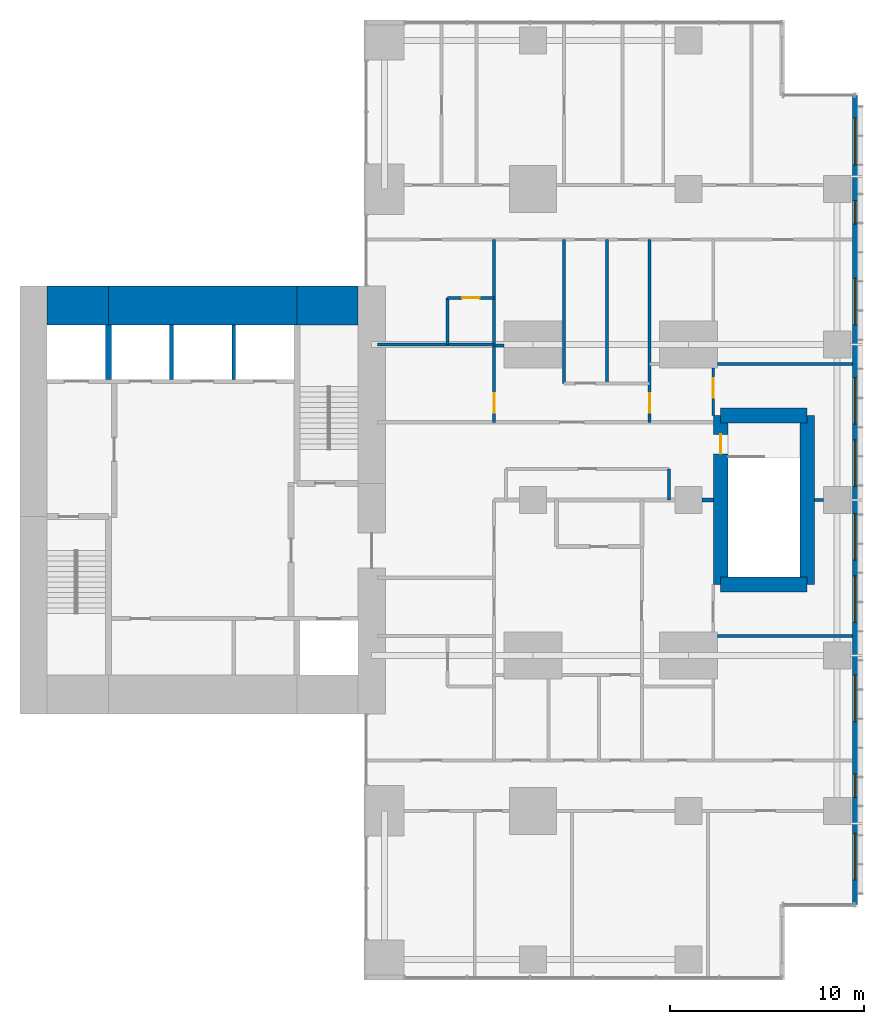
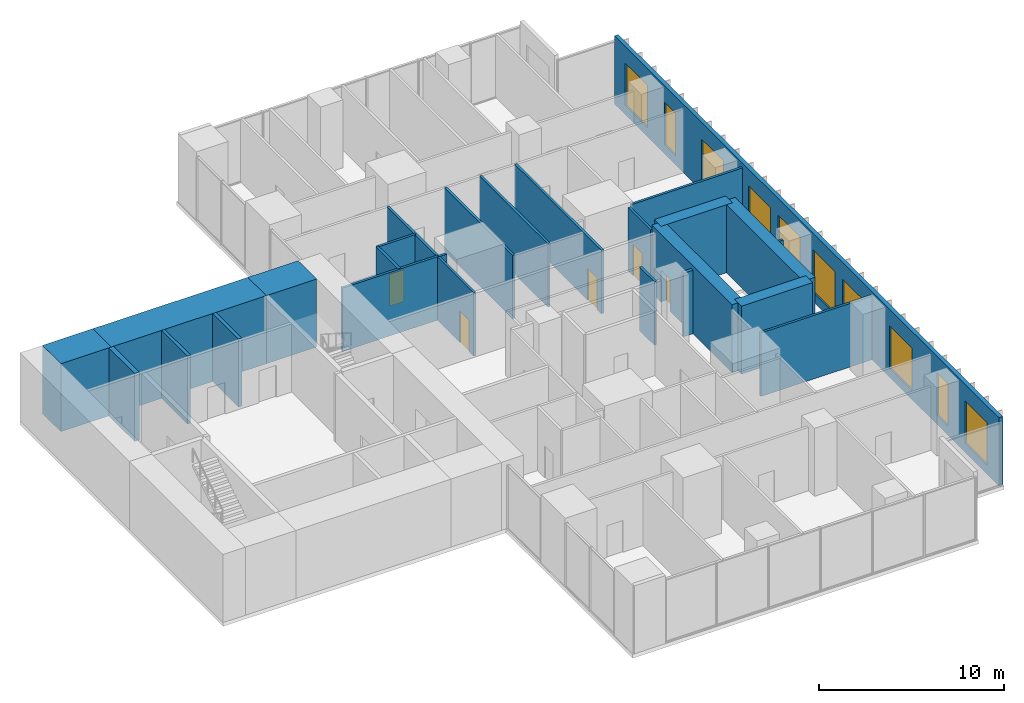
# One storey, part 9 of 11: 25 walls, 10 windows, 5 doors, 15 openings.
"""IFC4 building model written with IfcOpenShell, lengths in metres."""

from ifc_helpers import new_model, si_unit, direction, frame, frame_2d, origin, place, context, subcontext, project, spatial, rectangle, extrude, material, layer, layer_set, type_object, element, fill, save


model = new_model("IFC4")

# Units and contexts
model_context = context("Model", 3, precision=1e-05, world=origin(), true_north=direction((0.0, 1.0)))
body_context = subcontext(model_context, "Body", "Model", "MODEL_VIEW")
ifc_project = project(units=[si_unit("LENGTHUNIT", "METRE"), si_unit("AREAUNIT", "SQUARE_METRE"), si_unit("VOLUMEUNIT", "CUBIC_METRE"), si_unit("PLANEANGLEUNIT", "RADIAN"), si_unit("MASSUNIT", "GRAM", prefix="KILO")], contexts=[model_context])

# Site, building, storey
site_placement = place(None, origin())
site = spatial("IfcSite", under=ifc_project, at=site_placement, CompositionType="ELEMENT")
building_placement = place(site_placement, origin())
building = spatial("IfcBuilding", under=site, at=building_placement, Name="Cleftline Residences", CompositionType="ELEMENT")
storey_placement = place(building_placement, frame((0.0, 0.0, 287.10009765625)))
storey = spatial("IfcBuildingStorey", under=building, at=storey_placement, Name="L75", CompositionType="ELEMENT", Elevation=287.10009765625)

# Walls
ifc_material_1 = material(Name="Concrete B70", Category="concrete")
ifc_layer_1 = layer(ifc_material_1, 2.0)
ifc_layer_set_1 = layer_set([ifc_layer_1], Name="CORE WALL 2000")
wall_type_1 = type_object("IfcWallType", Name="CORE WALL 2000", PredefinedType="SHEAR", material=ifc_layer_set_1)
wall_1_placement = place(storey_placement, frame((25.0, 34.0, 0.0), z_axis=(0.0, 0.0, 1.0), x_axis=(1.0, 0.0, 0.0)))
element("IfcWall", 1, at=wall_1_placement, inside=storey, type_object=wall_type_1, Name="Core wall N1", PredefinedType="SHEAR", context=body_context, shape_type="SweptSolid", body=[
    extrude(rectangle(XDim=3.14990234375, YDim=2.0, at=frame_2d((1.574951171875, 0.0))), origin(), (0.0, 0.0, 1.0), 4.5),
])
wall_2_placement = place(storey_placement, frame((28.14990234375, 34.0, 0.0), z_axis=(0.0, 0.0, 1.0), x_axis=(1.0, 0.0, 0.0)))
element("IfcWall", 2, at=wall_2_placement, inside=storey, type_object=wall_type_1, Name="Core wall N2", PredefinedType="SHEAR", context=body_context, shape_type="SweptSolid", body=[
    extrude(rectangle(XDim=9.7001953125, YDim=2.0, at=frame_2d((4.85009765625, 0.0))), origin(), (0.0, 0.0, 1.0), 4.5),
])
wall_3_placement = place(storey_placement, frame((37.85009765625, 34.0, 0.0), z_axis=(0.0, 0.0, 1.0), x_axis=(1.0, 0.0, 0.0)))
element("IfcWall", 3, at=wall_3_placement, inside=storey, type_object=wall_type_1, Name="Core wall N3", PredefinedType="SHEAR", context=body_context, shape_type="SweptSolid", body=[
    extrude(rectangle(XDim=3.14990234375, YDim=2.0, at=frame_2d((1.574951171875, 0.0))), origin(), (0.0, 0.0, 1.0), 4.5),
])
ifc_material_2 = material(Name="Concrete B70", Category="concrete")
ifc_layer_2 = layer(ifc_material_2, 0.300048828125)
ifc_layer_set_2 = layer_set([ifc_layer_2], Name="CORE WALL 300")
wall_type_2 = type_object("IfcWallType", Name="CORE WALL 300", PredefinedType="SHEAR", material=ifc_layer_set_2)
wall_4_placement = place(storey_placement, frame((28.14990234375, 30.199951171875, 0.0), z_axis=(0.0, 0.0, 1.0), x_axis=(0.0, 1.0, 0.0)))
element("IfcWall", 4, at=wall_4_placement, inside=storey, type_object=wall_type_2, Name="Lift shaft wall", PredefinedType="SHEAR", context=body_context, shape_type="SweptSolid", body=[
    extrude(rectangle(XDim=2.800048828125, YDim=0.300048828125, at=frame_2d((1.39990234375, 0.0))), origin(), (0.0, 0.0, 1.0), 4.5),
])

# Wall, openings, windows
ifc_material_3 = material(Name="Rendered reinforced concrete blockwork", Category="masonry")
ifc_layer_3 = layer(ifc_material_3, 0.25)
ifc_layer_set_3 = layer_set([ifc_layer_3], Name="EXTERNAL WALL 250")
wall_type_3 = type_object("IfcWallType", Name="EXTERNAL WALL 250", PredefinedType="SOLIDWALL", material=ifc_layer_set_3)
wall_5_placement = place(storey_placement, frame((66.574951171875, 3.175048828125, 0.0), z_axis=(0.0, 0.0, 1.0), x_axis=(0.0, 1.0, 0.0)))
wall_5 = element("IfcWall", 5, at=wall_5_placement, inside=storey, type_object=wall_type_3, Name="External wall", PredefinedType="SOLIDWALL", context=body_context, shape_type="SweptSolid", body=[
    extrude(rectangle(XDim=41.64990234375, YDim=0.25, at=frame_2d((20.824951171875, 0.0))), origin(), (0.0, 0.0, 1.0), 4.5),
])
opening_1_placement = place(wall_5_placement, frame((1.27490234375, 0.0, 0.60009765625)))
opening_1 = element("IfcOpeningElement", 6, at=opening_1_placement, cuts=wall_5, Name="Opening W15", PredefinedType="OPENING", context=body_context, shape_type="SweptSolid", body=[
    extrude(rectangle(XDim=2.39990234375, YDim=2.800048828125, at=frame_2d((1.199951171875, 1.39990234375))), frame((0.0, 0.135009765625, 0.0), z_axis=(0.0, -1.0, 0.0), x_axis=(1.0, 0.0, 0.0)), (0.0, 0.0, 1.0), 0.27001953125),
])
opening_2_placement = place(wall_5_placement, frame((5.52490234375, 0.0, 0.60009765625)))
opening_2 = element("IfcOpeningElement", 7, at=opening_2_placement, cuts=wall_5, Name="Opening W16", PredefinedType="OPENING", context=body_context, shape_type="SweptSolid", body=[
    extrude(rectangle(XDim=1.199951171875, YDim=2.800048828125, at=frame_2d((0.60009765625, 1.39990234375))), frame((0.0, 0.135009765625, 0.0), z_axis=(0.0, -1.0, 0.0), x_axis=(1.0, 0.0, 0.0)), (0.0, 0.0, 1.0), 0.27001953125),
])
opening_3_placement = place(wall_5_placement, frame((9.425048828125, 0.0, 0.60009765625)))
opening_3 = element("IfcOpeningElement", 8, at=opening_3_placement, cuts=wall_5, Name="Opening W15", PredefinedType="OPENING", context=body_context, shape_type="SweptSolid", body=[
    extrude(rectangle(XDim=2.39990234375, YDim=2.800048828125, at=frame_2d((1.199951171875, 1.39990234375))), frame((0.0, 0.135009765625, 0.0), z_axis=(0.0, -1.0, 0.0), x_axis=(1.0, 0.0, 0.0)), (0.0, 0.0, 1.0), 0.27001953125),
])
opening_4_placement = place(wall_5_placement, frame((14.52490234375, 0.0, 0.60009765625)))
opening_4 = element("IfcOpeningElement", 9, at=opening_4_placement, cuts=wall_5, Name="Opening W15", PredefinedType="OPENING", context=body_context, shape_type="SweptSolid", body=[
    extrude(rectangle(XDim=2.39990234375, YDim=2.800048828125, at=frame_2d((1.199951171875, 1.39990234375))), frame((0.0, 0.135009765625, 0.0), z_axis=(0.0, -1.0, 0.0), x_axis=(1.0, 0.0, 0.0)), (0.0, 0.0, 1.0), 0.27001953125),
])
opening_5_placement = place(wall_5_placement, frame((17.72509765625, 0.0, 0.60009765625)))
opening_5 = element("IfcOpeningElement", 10, at=opening_5_placement, cuts=wall_5, Name="Opening W15", PredefinedType="OPENING", context=body_context, shape_type="SweptSolid", body=[
    extrude(rectangle(XDim=2.39990234375, YDim=2.800048828125, at=frame_2d((1.199951171875, 1.39990234375))), frame((0.0, 0.135009765625, 0.0), z_axis=(0.0, -1.0, 0.0), x_axis=(1.0, 0.0, 0.0)), (0.0, 0.0, 1.0), 0.27001953125),
])
opening_6_placement = place(wall_5_placement, frame((21.52490234375, 0.0, 0.60009765625)))
opening_6 = element("IfcOpeningElement", 11, at=opening_6_placement, cuts=wall_5, Name="Opening W15", PredefinedType="OPENING", context=body_context, shape_type="SweptSolid", body=[
    extrude(rectangle(XDim=2.39990234375, YDim=2.800048828125, at=frame_2d((1.199951171875, 1.39990234375))), frame((0.0, 0.135009765625, 0.0), z_axis=(0.0, -1.0, 0.0), x_axis=(1.0, 0.0, 0.0)), (0.0, 0.0, 1.0), 0.27001953125),
])
opening_7_placement = place(wall_5_placement, frame((24.72509765625, 0.0, 0.60009765625)))
opening_7 = element("IfcOpeningElement", 12, at=opening_7_placement, cuts=wall_5, Name="Opening W15", PredefinedType="OPENING", context=body_context, shape_type="SweptSolid", body=[
    extrude(rectangle(XDim=2.39990234375, YDim=2.800048828125, at=frame_2d((1.199951171875, 1.39990234375))), frame((0.0, 0.135009765625, 0.0), z_axis=(0.0, -1.0, 0.0), x_axis=(1.0, 0.0, 0.0)), (0.0, 0.0, 1.0), 0.27001953125),
])
opening_8_placement = place(wall_5_placement, frame((29.824951171875, 0.0, 0.60009765625)))
opening_8 = element("IfcOpeningElement", 13, at=opening_8_placement, cuts=wall_5, Name="Opening W15", PredefinedType="OPENING", context=body_context, shape_type="SweptSolid", body=[
    extrude(rectangle(XDim=2.39990234375, YDim=2.800048828125, at=frame_2d((1.199951171875, 1.39990234375))), frame((0.0, 0.135009765625, 0.0), z_axis=(0.0, -1.0, 0.0), x_axis=(1.0, 0.0, 0.0)), (0.0, 0.0, 1.0), 0.27001953125),
])
opening_9_placement = place(wall_5_placement, frame((35.02490234375, 0.0, 0.60009765625)))
opening_9 = element("IfcOpeningElement", 14, at=opening_9_placement, cuts=wall_5, Name="Opening W16", PredefinedType="OPENING", context=body_context, shape_type="SweptSolid", body=[
    extrude(rectangle(XDim=1.199951171875, YDim=2.800048828125, at=frame_2d((0.60009765625, 1.39990234375))), frame((0.0, 0.135009765625, 0.0), z_axis=(0.0, -1.0, 0.0), x_axis=(1.0, 0.0, 0.0)), (0.0, 0.0, 1.0), 0.27001953125),
])
opening_10_placement = place(wall_5_placement, frame((38.074951171875, 0.0, 0.60009765625)))
opening_10 = element("IfcOpeningElement", 15, at=opening_10_placement, cuts=wall_5, Name="Opening W15", PredefinedType="OPENING", context=body_context, shape_type="SweptSolid", body=[
    extrude(rectangle(XDim=2.39990234375, YDim=2.800048828125, at=frame_2d((1.199951171875, 1.39990234375))), frame((0.0, 0.135009765625, 0.0), z_axis=(0.0, -1.0, 0.0), x_axis=(1.0, 0.0, 0.0)), (0.0, 0.0, 1.0), 0.27001953125),
])
ifc_material_4 = material(Name="Aluminium frame, clear double glazing", Category="aluminium")
window_type_1 = type_object("IfcWindowType", Name="WINDOW 1200X2800", PartitioningType="DOUBLE_PANEL_VERTICAL", PredefinedType="WINDOW", material=ifc_material_4)
window_1_placement = place(opening_2_placement, origin())
window_1 = element("IfcWindow", 16, at=window_1_placement, inside=storey, type_object=window_type_1, Name="Window", OverallHeight=2.800048828125, OverallWidth=1.199951171875, PartitioningType="SINGLE_PANEL", PredefinedType="WINDOW", context=body_context, shape_type="SweptSolid", body=[
    extrude(rectangle(XDim=1.199951171875, YDim=2.800048828125, at=frame_2d((0.60009765625, 1.39990234375))), frame((0.0, 0.030029296875, 0.0), z_axis=(0.0, -1.0, 0.0), x_axis=(1.0, 0.0, 0.0)), (0.0, 0.0, 1.0), 0.06005859375),
])
fill(opening_2, window_1)
window_2_placement = place(opening_9_placement, origin())
window_2 = element("IfcWindow", 17, at=window_2_placement, inside=storey, type_object=window_type_1, Name="Window", OverallHeight=2.800048828125, OverallWidth=1.199951171875, PartitioningType="SINGLE_PANEL", PredefinedType="WINDOW", context=body_context, shape_type="SweptSolid", body=[
    extrude(rectangle(XDim=1.199951171875, YDim=2.800048828125, at=frame_2d((0.60009765625, 1.39990234375))), frame((0.0, 0.030029296875, 0.0), z_axis=(0.0, -1.0, 0.0), x_axis=(1.0, 0.0, 0.0)), (0.0, 0.0, 1.0), 0.06005859375),
])
fill(opening_9, window_2)
ifc_material_5 = material(Name="Aluminium frame, clear double glazing", Category="aluminium")
window_type_2 = type_object("IfcWindowType", Name="WINDOW 2400X2800", PartitioningType="DOUBLE_PANEL_VERTICAL", PredefinedType="WINDOW", material=ifc_material_5)
window_3_placement = place(opening_1_placement, origin())
window_3 = element("IfcWindow", 18, at=window_3_placement, inside=storey, type_object=window_type_2, Name="Window", OverallHeight=2.800048828125, OverallWidth=2.39990234375, PartitioningType="SINGLE_PANEL", PredefinedType="WINDOW", context=body_context, shape_type="SweptSolid", body=[
    extrude(rectangle(XDim=2.39990234375, YDim=2.800048828125, at=frame_2d((1.199951171875, 1.39990234375))), frame((0.0, 0.030029296875, 0.0), z_axis=(0.0, -1.0, 0.0), x_axis=(1.0, 0.0, 0.0)), (0.0, 0.0, 1.0), 0.06005859375),
])
fill(opening_1, window_3)
window_4_placement = place(opening_3_placement, origin())
window_4 = element("IfcWindow", 19, at=window_4_placement, inside=storey, type_object=window_type_2, Name="Window", OverallHeight=2.800048828125, OverallWidth=2.39990234375, PartitioningType="SINGLE_PANEL", PredefinedType="WINDOW", context=body_context, shape_type="SweptSolid", body=[
    extrude(rectangle(XDim=2.39990234375, YDim=2.800048828125, at=frame_2d((1.199951171875, 1.39990234375))), frame((0.0, 0.030029296875, 0.0), z_axis=(0.0, -1.0, 0.0), x_axis=(1.0, 0.0, 0.0)), (0.0, 0.0, 1.0), 0.06005859375),
])
fill(opening_3, window_4)
window_5_placement = place(opening_4_placement, origin())
window_5 = element("IfcWindow", 20, at=window_5_placement, inside=storey, type_object=window_type_2, Name="Window", OverallHeight=2.800048828125, OverallWidth=2.39990234375, PartitioningType="SINGLE_PANEL", PredefinedType="WINDOW", context=body_context, shape_type="SweptSolid", body=[
    extrude(rectangle(XDim=2.39990234375, YDim=2.800048828125, at=frame_2d((1.199951171875, 1.39990234375))), frame((0.0, 0.030029296875, 0.0), z_axis=(0.0, -1.0, 0.0), x_axis=(1.0, 0.0, 0.0)), (0.0, 0.0, 1.0), 0.06005859375),
])
fill(opening_4, window_5)
window_6_placement = place(opening_5_placement, origin())
window_6 = element("IfcWindow", 21, at=window_6_placement, inside=storey, type_object=window_type_2, Name="Window", OverallHeight=2.800048828125, OverallWidth=2.39990234375, PartitioningType="SINGLE_PANEL", PredefinedType="WINDOW", context=body_context, shape_type="SweptSolid", body=[
    extrude(rectangle(XDim=2.39990234375, YDim=2.800048828125, at=frame_2d((1.199951171875, 1.39990234375))), frame((0.0, 0.030029296875, 0.0), z_axis=(0.0, -1.0, 0.0), x_axis=(1.0, 0.0, 0.0)), (0.0, 0.0, 1.0), 0.06005859375),
])
fill(opening_5, window_6)
window_7_placement = place(opening_6_placement, origin())
window_7 = element("IfcWindow", 22, at=window_7_placement, inside=storey, type_object=window_type_2, Name="Window", OverallHeight=2.800048828125, OverallWidth=2.39990234375, PartitioningType="SINGLE_PANEL", PredefinedType="WINDOW", context=body_context, shape_type="SweptSolid", body=[
    extrude(rectangle(XDim=2.39990234375, YDim=2.800048828125, at=frame_2d((1.199951171875, 1.39990234375))), frame((0.0, 0.030029296875, 0.0), z_axis=(0.0, -1.0, 0.0), x_axis=(1.0, 0.0, 0.0)), (0.0, 0.0, 1.0), 0.06005859375),
])
fill(opening_6, window_7)
window_8_placement = place(opening_7_placement, origin())
window_8 = element("IfcWindow", 23, at=window_8_placement, inside=storey, type_object=window_type_2, Name="Window", OverallHeight=2.800048828125, OverallWidth=2.39990234375, PartitioningType="SINGLE_PANEL", PredefinedType="WINDOW", context=body_context, shape_type="SweptSolid", body=[
    extrude(rectangle(XDim=2.39990234375, YDim=2.800048828125, at=frame_2d((1.199951171875, 1.39990234375))), frame((0.0, 0.030029296875, 0.0), z_axis=(0.0, -1.0, 0.0), x_axis=(1.0, 0.0, 0.0)), (0.0, 0.0, 1.0), 0.06005859375),
])
fill(opening_7, window_8)
window_9_placement = place(opening_8_placement, origin())
window_9 = element("IfcWindow", 24, at=window_9_placement, inside=storey, type_object=window_type_2, Name="Window", OverallHeight=2.800048828125, OverallWidth=2.39990234375, PartitioningType="SINGLE_PANEL", PredefinedType="WINDOW", context=body_context, shape_type="SweptSolid", body=[
    extrude(rectangle(XDim=2.39990234375, YDim=2.800048828125, at=frame_2d((1.199951171875, 1.39990234375))), frame((0.0, 0.030029296875, 0.0), z_axis=(0.0, -1.0, 0.0), x_axis=(1.0, 0.0, 0.0)), (0.0, 0.0, 1.0), 0.06005859375),
])
fill(opening_8, window_9)
window_10_placement = place(opening_10_placement, origin())
window_10 = element("IfcWindow", 25, at=window_10_placement, inside=storey, type_object=window_type_2, Name="Window", OverallHeight=2.800048828125, OverallWidth=2.39990234375, PartitioningType="SINGLE_PANEL", PredefinedType="WINDOW", context=body_context, shape_type="SweptSolid", body=[
    extrude(rectangle(XDim=2.39990234375, YDim=2.800048828125, at=frame_2d((1.199951171875, 1.39990234375))), frame((0.0, 0.030029296875, 0.0), z_axis=(0.0, -1.0, 0.0), x_axis=(1.0, 0.0, 0.0)), (0.0, 0.0, 1.0), 0.06005859375),
])
fill(opening_10, window_10)

# Walls
ifc_material_6 = material(Name="Concrete blockwork, fire rated", Category="masonry")
ifc_layer_4 = layer(ifc_material_6, 0.199951171875)
ifc_layer_set_4 = layer_set([ifc_layer_4], Name="FIRE WALL 200")
wall_type_4 = type_object("IfcWallType", Name="FIRE WALL 200", PredefinedType="PARTITIONING", material=ifc_layer_set_4)
wall_6_placement = place(storey_placement, frame((58.699951171875, 24.0, 0.0), z_axis=(0.0, 0.0, 1.0), x_axis=(1.0, 0.0, 0.0)))
element("IfcWall", 26, at=wall_6_placement, inside=storey, type_object=wall_type_4, Name="Fire separating wall", PredefinedType="PARTITIONING", context=body_context, shape_type="SweptSolid", body=[
    extrude(rectangle(XDim=0.574951171875, YDim=0.199951171875, at=frame_2d((0.28759765625, 0.0))), origin(), (0.0, 0.0, 1.0), 4.199951171875),
])
ifc_material_7 = material(Name="Gypsum board on steel studs", Category="steel")
ifc_layer_5 = layer(ifc_material_7, 0.14990234375)
ifc_layer_set_5 = layer_set([ifc_layer_5], Name="PARTITION 150")
wall_type_5 = type_object("IfcWallType", Name="PARTITION 150", PredefinedType="PARTITIONING", material=ifc_layer_set_5)
wall_7_placement = place(storey_placement, frame((59.5, 17.0, 0.0), z_axis=(0.0, 0.0, 1.0), x_axis=(1.0, 0.0, 0.0)))
element("IfcWall", 27, at=wall_7_placement, inside=storey, type_object=wall_type_5, Name="Partition", PredefinedType="PARTITIONING", context=body_context, shape_type="SweptSolid", body=[
    extrude(rectangle(XDim=6.949951171875, YDim=0.14990234375, at=frame_2d((3.47509765625, 0.0))), origin(), (0.0, 0.0, 1.0), 4.199951171875),
])
wall_8_placement = place(storey_placement, frame((64.47509765625, 24.0, 0.0), z_axis=(0.0, 0.0, 1.0), x_axis=(1.0, 0.0, 0.0)))
element("IfcWall", 28, at=wall_8_placement, inside=storey, type_object=wall_type_5, Name="Partition", PredefinedType="PARTITIONING", context=body_context, shape_type="SweptSolid", body=[
    extrude(rectangle(XDim=0.474853515625, YDim=0.14990234375, at=frame_2d((0.2373046875, 0.0))), origin(), (0.0, 0.0, 1.0), 4.199951171875),
])
wall_9_placement = place(storey_placement, frame((59.5, 31.0, 0.0), z_axis=(0.0, 0.0, 1.0), x_axis=(1.0, 0.0, 0.0)))
element("IfcWall", 29, at=wall_9_placement, inside=storey, type_object=wall_type_5, Name="Partition", PredefinedType="PARTITIONING", context=body_context, shape_type="SweptSolid", body=[
    extrude(rectangle(XDim=6.949951171875, YDim=0.14990234375, at=frame_2d((3.47509765625, 0.0))), origin(), (0.0, 0.0, 1.0), 4.199951171875),
])
wall_10_placement = place(storey_placement, frame((48.0, 31.949951171875, 0.0), z_axis=(0.0, 0.0, 1.0), x_axis=(1.0, 0.0, 0.0)))
element("IfcWall", 30, at=wall_10_placement, inside=storey, type_object=wall_type_5, Name="Partition", PredefinedType="PARTITIONING", context=body_context, shape_type="SweptSolid", body=[
    extrude(rectangle(XDim=0.5, YDim=0.14990234375, at=frame_2d((0.25, 0.0))), origin(), (0.0, 0.0, 1.0), 4.199951171875),
])
wall_11_placement = place(storey_placement, frame((42.0, 32.0, 0.0), z_axis=(0.0, 0.0, 1.0), x_axis=(1.0, 0.0, 0.0)))
element("IfcWall", 31, at=wall_11_placement, inside=storey, type_object=wall_type_5, Name="Partition", PredefinedType="PARTITIONING", context=body_context, shape_type="SweptSolid", body=[
    extrude(rectangle(XDim=6.0, YDim=0.14990234375, at=frame_2d((3.0, 0.0))), origin(), (0.0, 0.0, 1.0), 4.199951171875),
])

# Wall, opening, door
wall_12_placement = place(storey_placement, frame((45.60009765625, 34.39990234375, 0.0), z_axis=(0.0, 0.0, 1.0), x_axis=(1.0, 0.0, 0.0)))
wall_12 = element("IfcWall", 32, at=wall_12_placement, inside=storey, type_object=wall_type_5, Name="Partition", PredefinedType="PARTITIONING", context=body_context, shape_type="SweptSolid", body=[
    extrude(rectangle(XDim=2.39990234375, YDim=0.14990234375, at=frame_2d((1.199951171875, 0.0))), origin(), (0.0, 0.0, 1.0), 4.199951171875),
])
opening_11_placement = place(wall_12_placement, frame((0.75, 0.0, 0.0)))
opening_11 = element("IfcOpeningElement", 33, at=opening_11_placement, cuts=wall_12, Name="Opening D1", PredefinedType="OPENING", context=body_context, shape_type="SweptSolid", body=[
    extrude(rectangle(XDim=0.89990234375, YDim=2.10009765625, at=frame_2d((0.449951171875, 1.050048828125))), frame((0.0, 0.0849609375, 0.0), z_axis=(0.0, -1.0, 0.0), x_axis=(1.0, 0.0, 0.0)), (0.0, 0.0, 1.0), 0.169921875),
])
ifc_material_8 = material(Name="Timber veneer on solid core", Category="wood")
door_type_1 = type_object("IfcDoorType", Name="DOOR 900X2100", OperationType="SINGLE_SWING_LEFT", PredefinedType="DOOR", material=ifc_material_8)
door_1_placement = place(opening_11_placement, origin())
door_1 = element("IfcDoor", 34, at=door_1_placement, inside=storey, type_object=door_type_1, Name="Door to staff shower room", OperationType="SINGLE_SWING_LEFT", OverallHeight=2.10009765625, OverallWidth=0.89990234375, PredefinedType="DOOR", context=body_context, shape_type="SweptSolid", body=[
    extrude(rectangle(XDim=0.89990234375, YDim=2.10009765625, at=frame_2d((0.449951171875, 1.050048828125))), frame((0.0, 0.02490234375, 0.0), z_axis=(0.0, -1.0, 0.0), x_axis=(1.0, 0.0, 0.0)), (0.0, 0.0, 1.0), 0.050048828125),
])
fill(opening_11, door_1)

# Wall
wall_13_placement = place(storey_placement, frame((45.60009765625, 32.0, 0.0), z_axis=(0.0, 0.0, 1.0), x_axis=(0.0, 1.0, 0.0)))
element("IfcWall", 35, at=wall_13_placement, inside=storey, type_object=wall_type_5, Name="Partition", PredefinedType="PARTITIONING", context=body_context, shape_type="SweptSolid", body=[
    extrude(rectangle(XDim=2.39990234375, YDim=0.14990234375, at=frame_2d((1.199951171875, 0.0))), origin(), (0.0, 0.0, 1.0), 4.199951171875),
])

# Wall, opening, door
wall_14_placement = place(storey_placement, frame((48.0, 28.0, 0.0), z_axis=(0.0, 0.0, 1.0), x_axis=(0.0, 1.0, 0.0)))
wall_14 = element("IfcWall", 36, at=wall_14_placement, inside=storey, type_object=wall_type_5, Name="Partition", PredefinedType="PARTITIONING", context=body_context, shape_type="SweptSolid", body=[
    extrude(rectangle(XDim=9.39990234375, YDim=0.14990234375, at=frame_2d((4.699951171875, 0.0))), origin(), (0.0, 0.0, 1.0), 4.199951171875),
])
opening_12_placement = place(wall_14_placement, frame((0.5, 0.0, 0.0)))
opening_12 = element("IfcOpeningElement", 37, at=opening_12_placement, cuts=wall_14, Name="Opening D2", PredefinedType="OPENING", context=body_context, shape_type="SweptSolid", body=[
    extrude(rectangle(XDim=1.0, YDim=2.10009765625, at=frame_2d((0.5, 1.050048828125))), frame((0.0, 0.0849609375, 0.0), z_axis=(0.0, -1.0, 0.0), x_axis=(1.0, 0.0, 0.0)), (0.0, 0.0, 1.0), 0.169921875),
])
ifc_material_9 = material(Name="Timber veneer on solid core", Category="wood")
door_type_2 = type_object("IfcDoorType", Name="DOOR 1000X2100", OperationType="SINGLE_SWING_LEFT", PredefinedType="DOOR", material=ifc_material_9)
door_2_placement = place(opening_12_placement, origin())
door_2 = element("IfcDoor", 38, at=door_2_placement, inside=storey, type_object=door_type_2, Name="Door to morning kitchen", OperationType="SINGLE_SWING_RIGHT", OverallHeight=2.10009765625, OverallWidth=1.0, PredefinedType="DOOR", context=body_context, shape_type="SweptSolid", body=[
    extrude(rectangle(XDim=1.0, YDim=2.10009765625, at=frame_2d((0.5, 1.050048828125))), frame((0.0, 0.02490234375, 0.0), z_axis=(0.0, -1.0, 0.0), x_axis=(1.0, 0.0, 0.0)), (0.0, 0.0, 1.0), 0.050048828125),
])
fill(opening_12, door_2)

# Walls
for number, where, z_axis, x_axis, name in (
    (39, (51.60009765625, 30.0, 0.0), (0.0, 0.0, 1.0), (0.0, 1.0, 0.0), "Partition"),
    (40, (53.800048828125, 30.0, 0.0), (0.0, 0.0, 1.0), (0.0, 1.0, 0.0), "Partition"),
):
    element("IfcWall", number, at=place(storey_placement, frame(where, z_axis=z_axis, x_axis=x_axis)), inside=storey, type_object=wall_type_5, Name=name, PredefinedType="PARTITIONING", context=body_context, shape_type="SweptSolid", body=[
        extrude(rectangle(XDim=7.39990234375, YDim=0.14990234375, at=frame_2d((3.699951171875, 0.0))), origin(), (0.0, 0.0, 1.0), 4.199951171875),
    ])

# Wall, opening, door
wall_15_placement = place(storey_placement, frame((56.0, 28.0, 0.0), z_axis=(0.0, 0.0, 1.0), x_axis=(0.0, 1.0, 0.0)))
wall_15 = element("IfcWall", 41, at=wall_15_placement, inside=storey, type_object=wall_type_5, Name="Partition", PredefinedType="PARTITIONING", context=body_context, shape_type="SweptSolid", body=[
    extrude(rectangle(XDim=9.39990234375, YDim=0.14990234375, at=frame_2d((4.699951171875, 0.0))), origin(), (0.0, 0.0, 1.0), 4.199951171875),
])
opening_13_placement = place(wall_15_placement, frame((0.5, 0.0, 0.0)))
opening_13 = element("IfcOpeningElement", 42, at=opening_13_placement, cuts=wall_15, Name="Opening D2F30", PredefinedType="OPENING", context=body_context, shape_type="SweptSolid", body=[
    extrude(rectangle(XDim=1.0, YDim=2.10009765625, at=frame_2d((0.5, 1.050048828125))), frame((0.0, 0.0849609375, 0.0), z_axis=(0.0, -1.0, 0.0), x_axis=(1.0, 0.0, 0.0)), (0.0, 0.0, 1.0), 0.169921875),
])
ifc_material_10 = material(Name="Timber veneer on solid core", Category="wood")
door_type_3 = type_object("IfcDoorType", Name="DOOR 1000X2100 EI 30", OperationType="SINGLE_SWING_LEFT", PredefinedType="DOOR", material=ifc_material_10)
door_3_placement = place(opening_13_placement, origin())
door_3 = element("IfcDoor", 43, at=door_3_placement, inside=storey, type_object=door_type_3, Name="Door to residence lobby (service)", OperationType="SINGLE_SWING_RIGHT", OverallHeight=2.10009765625, OverallWidth=1.0, PredefinedType="DOOR", context=body_context, shape_type="SweptSolid", body=[
    extrude(rectangle(XDim=1.0, YDim=2.10009765625, at=frame_2d((0.5, 1.050048828125))), frame((0.0, 0.02490234375, 0.0), z_axis=(0.0, -1.0, 0.0), x_axis=(1.0, 0.0, 0.0)), (0.0, 0.0, 1.0), 0.050048828125),
])
fill(opening_13, door_3)

# Wall
wall_16_placement = place(storey_placement, frame((57.0, 24.0, 0.0), z_axis=(0.0, 0.0, 1.0), x_axis=(0.0, 1.0, 0.0)))
element("IfcWall", 44, at=wall_16_placement, inside=storey, type_object=wall_type_5, Name="Partition", PredefinedType="PARTITIONING", context=body_context, shape_type="SweptSolid", body=[
    extrude(rectangle(XDim=1.60009765625, YDim=0.14990234375, at=frame_2d((0.800048828125, 0.0))), origin(), (0.0, 0.0, 1.0), 4.199951171875),
])

# Wall, opening, door
wall_17_placement = place(storey_placement, frame((59.27490234375, 28.35009765625, 0.0), z_axis=(0.0, 0.0, 1.0), x_axis=(0.0, 1.0, 0.0)))
wall_17 = element("IfcWall", 45, at=wall_17_placement, inside=storey, type_object=wall_type_5, Name="Partition", PredefinedType="PARTITIONING", context=body_context, shape_type="SweptSolid", body=[
    extrude(rectangle(XDim=2.449951171875, YDim=0.14990234375, at=frame_2d((1.22509765625, 0.0))), origin(), (0.0, 0.0, 1.0), 4.199951171875),
])
opening_14_placement = place(wall_17_placement, frame((0.91259765625, 0.0, 0.0)))
opening_14 = element("IfcOpeningElement", 46, at=opening_14_placement, cuts=wall_17, Name="Opening D2", PredefinedType="OPENING", context=body_context, shape_type="SweptSolid", body=[
    extrude(rectangle(XDim=1.0, YDim=2.10009765625, at=frame_2d((0.5, 1.050048828125))), frame((0.0, 0.0849609375, 0.0), z_axis=(0.0, -1.0, 0.0), x_axis=(1.0, 0.0, 0.0)), (0.0, 0.0, 1.0), 0.169921875),
])
door_4_placement = place(opening_14_placement, origin())
door_4 = element("IfcDoor", 47, at=door_4_placement, inside=storey, type_object=door_type_2, Name="Door to winter garden", OperationType="SINGLE_SWING_LEFT", OverallHeight=2.10009765625, OverallWidth=1.0, PredefinedType="DOOR", context=body_context, shape_type="SweptSolid", body=[
    extrude(rectangle(XDim=1.0, YDim=2.10009765625, at=frame_2d((0.5, 1.050048828125))), frame((0.0, 0.02490234375, 0.0), z_axis=(0.0, -1.0, 0.0), x_axis=(1.0, 0.0, 0.0)), (0.0, 0.0, 1.0), 0.050048828125),
])
fill(opening_14, door_4)

# Walls
ifc_material_11 = material(Name="Concrete blockwork, fire rated", Category="masonry")
ifc_layer_6 = layer(ifc_material_11, 0.199951171875)
ifc_layer_set_6 = layer_set([ifc_layer_6], Name="SHAFT WALL 200")
wall_type_6 = type_object("IfcWallType", Name="SHAFT WALL 200", PredefinedType="PARTITIONING", material=ifc_layer_set_6)
for number, where, z_axis, x_axis, name in (
    (48, (31.39990234375, 30.199951171875, 0.0), (0.0, 0.0, 1.0), (0.0, 1.0, 0.0), "Lift shaft wall"),
    (49, (34.60009765625, 30.199951171875, 0.0), (0.0, 0.0, 1.0), (0.0, 1.0, 0.0), "Lift shaft wall"),
):
    element("IfcWall", number, at=place(storey_placement, frame(where, z_axis=z_axis, x_axis=x_axis)), inside=storey, type_object=wall_type_6, Name=name, PredefinedType="PARTITIONING", context=body_context, shape_type="SweptSolid", body=[
        extrude(rectangle(XDim=2.800048828125, YDim=0.199951171875, at=frame_2d((1.39990234375, 0.0))), origin(), (0.0, 0.0, 1.0), 4.5),
    ])
ifc_material_12 = material(Name="Concrete B70", Category="concrete")
ifc_layer_7 = layer(ifc_material_12, 0.75)
ifc_layer_set_7 = layer_set([ifc_layer_7], Name="SHEAR WALL 750")
wall_type_7 = type_object("IfcWallType", Name="SHEAR WALL 750", PredefinedType="SHEAR", material=ifc_layer_set_7)
wall_18_placement = place(storey_placement, frame((59.64990234375, 19.64990234375, 0.0), z_axis=(0.0, 0.0, 1.0), x_axis=(1.0, 0.0, 0.0)))
element("IfcWall", 50, at=wall_18_placement, inside=storey, type_object=wall_type_7, Name="Wing shear wall", PredefinedType="SHEAR", context=body_context, shape_type="SweptSolid", body=[
    extrude(rectangle(XDim=4.4501953125, YDim=0.75, at=frame_2d((2.22509765625, 0.0))), origin(), (0.0, 0.0, 1.0), 4.5),
])
wall_19_placement = place(storey_placement, frame((64.10009765625, 19.64990234375, 0.0), z_axis=(0.0, 0.0, 1.0), x_axis=(0.0, 1.0, 0.0)))
element("IfcWall", 51, at=wall_19_placement, inside=storey, type_object=wall_type_7, Name="Wing shear wall", PredefinedType="SHEAR", context=body_context, shape_type="SweptSolid", body=[
    extrude(rectangle(XDim=8.7001953125, YDim=0.75, at=frame_2d((4.35009765625, 0.0))), origin(), (0.0, 0.0, 1.0), 4.5),
])
wall_20_placement = place(storey_placement, frame((64.10009765625, 28.35009765625, 0.0), z_axis=(0.0, 0.0, 1.0), x_axis=(-1.0, 0.0, 0.0)))
element("IfcWall", 52, at=wall_20_placement, inside=storey, type_object=wall_type_7, Name="Wing shear wall", PredefinedType="SHEAR", context=body_context, shape_type="SweptSolid", body=[
    extrude(rectangle(XDim=4.4501953125, YDim=0.75, at=frame_2d((2.22509765625, 0.0))), origin(), (0.0, 0.0, 1.0), 4.5),
])

# Wall, opening, door
wall_21_placement = place(storey_placement, frame((59.64990234375, 28.35009765625, 0.0), z_axis=(0.0, 0.0, 1.0), x_axis=(0.0, -1.0, 0.0)))
wall_21 = element("IfcWall", 53, at=wall_21_placement, inside=storey, type_object=wall_type_7, Name="Wing shear wall", PredefinedType="SHEAR", context=body_context, shape_type="SweptSolid", body=[
    extrude(rectangle(XDim=8.7001953125, YDim=0.75, at=frame_2d((4.35009765625, 0.0))), origin(), (0.0, 0.0, 1.0), 4.5),
])
opening_15_placement = place(wall_21_placement, frame((0.97509765625, 0.0, 0.0)))
opening_15 = element("IfcOpeningElement", 54, at=opening_15_placement, cuts=wall_21, Name="Opening D5", PredefinedType="OPENING", context=body_context, shape_type="SweptSolid", body=[
    extrude(rectangle(XDim=1.0, YDim=2.10009765625, at=frame_2d((0.5, 1.050048828125))), frame((0.0, 0.385009765625, 0.0), z_axis=(0.0, -1.0, 0.0), x_axis=(1.0, 0.0, 0.0)), (0.0, 0.0, 1.0), 0.77001953125),
])
ifc_material_13 = material(Name="Steel", Category="steel")
door_type_4 = type_object("IfcDoorType", Name="STAIR DOOR 1000X2100", OperationType="SINGLE_SWING_LEFT", PredefinedType="DOOR", material=ifc_material_13)
door_5_placement = place(opening_15_placement, origin())
door_5 = element("IfcDoor", 55, at=door_5_placement, inside=storey, type_object=door_type_4, Name="Stair E door", OperationType="SINGLE_SWING_RIGHT", OverallHeight=2.10009765625, OverallWidth=1.0, PredefinedType="DOOR", context=body_context, shape_type="SweptSolid", body=[
    extrude(rectangle(XDim=1.0, YDim=2.10009765625, at=frame_2d((0.5, 1.050048828125))), frame((0.0, 0.02490234375, 0.0), z_axis=(0.0, -1.0, 0.0), x_axis=(1.0, 0.0, 0.0)), (0.0, 0.0, 1.0), 0.050048828125),
])
fill(opening_15, door_5)

save(model, "model.ifc")
